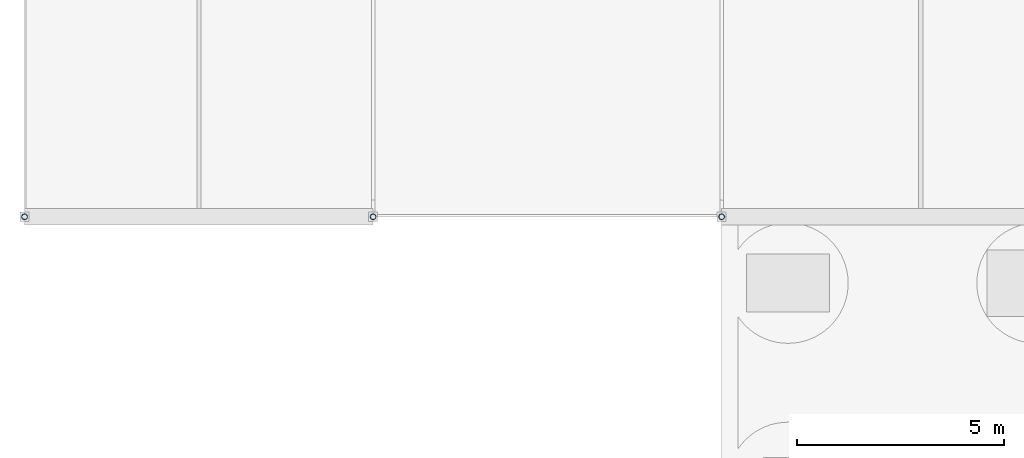
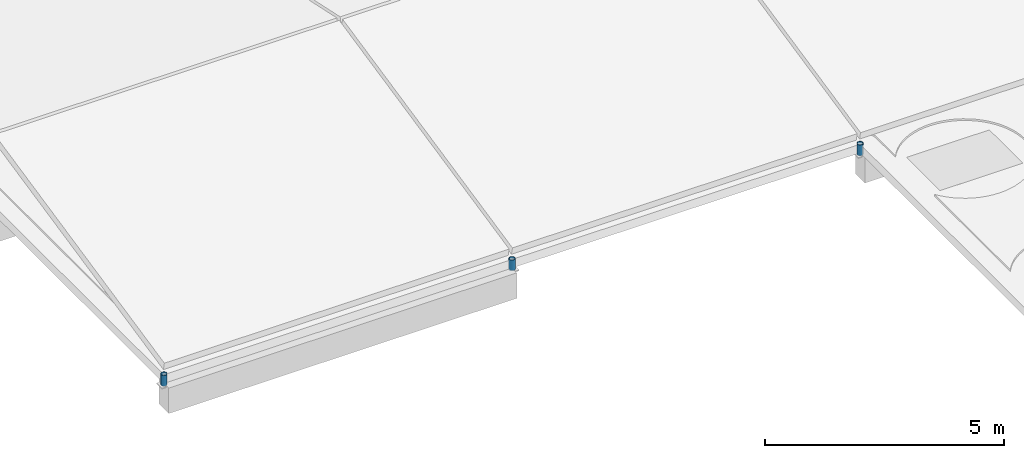
# One storey, part 6 of 11: 3 members.
"""IFC4 building model written with IfcOpenShell, lengths in metres."""

from ifc_helpers import new_model, si_unit, direction, frame, origin, origin_2d, place, context, subcontext, project, spatial, hollow_circle, extrude, material, material_profile, profile_set, type_object, element, save


model = new_model("IFC4")

# Units and contexts
model_context = context("Model", 3, precision=1e-05, world=origin(), true_north=direction((0.0, 1.0)))
body_context = subcontext(model_context, "Body", "Model", "MODEL_VIEW")
ifc_project = project(units=[si_unit("LENGTHUNIT", "METRE"), si_unit("AREAUNIT", "SQUARE_METRE"), si_unit("VOLUMEUNIT", "CUBIC_METRE"), si_unit("PLANEANGLEUNIT", "RADIAN"), si_unit("MASSUNIT", "GRAM", prefix="KILO")], contexts=[model_context])

# Site, building, storey
site_placement = place(None, origin())
site = spatial("IfcSite", under=ifc_project, at=site_placement, CompositionType="ELEMENT")
building_placement = place(site_placement, origin())
building = spatial("IfcBuilding", under=site, at=building_placement, Name="Kisaragi Civic Commons", CompositionType="ELEMENT")
storey_placement = place(building_placement, frame((0.0, 0.0, 21.60009765625)))
storey = spatial("IfcBuildingStorey", under=building, at=storey_placement, Name="RF", CompositionType="ELEMENT", Elevation=21.60009765625)

# Members
ifc_material = material(Name="Steel SN490 (SN490B)", Category="steel")
ifc_material_profile = material_profile(ifc_material, hollow_circle(Radius=0.06982421875, WallThickness=0.006103515625, at=origin_2d()), Name="CHS-139.8x6.0", Category="steel")
ifc_profile_set = profile_set([ifc_material_profile], Name="Steel SN490 (SN490B)")
member_type = type_object("IfcMemberType", Name="ST-H1", PredefinedType="STRUT", material=ifc_profile_set)
for number, where, z_axis, x_axis, name in (
    (1, (97.199951171875, 104.39990234375, -0.25), (0.0, 0.0, 1.0), (1.0, 0.0, 0.0), "RF solar canopy post (97.2,104.4)"),
    (2, (105.60009765625, 104.39990234375, -0.25), (0.0, 0.0, 1.0), (1.0, 0.0, 0.0), "RF solar canopy post (105.6,104.4)"),
    (3, (114.0, 104.39990234375, -0.25), (0.0, 0.0, 1.0), (1.0, 0.0, 0.0), "RF solar canopy post (114.0,104.4)"),
):
    element("IfcMember", number, at=place(storey_placement, frame(where, z_axis=z_axis, x_axis=x_axis)), inside=storey, type_object=member_type, Name=name, PredefinedType="STRUT", context=body_context, shape_type="SweptSolid", body=[
        extrude(hollow_circle(Radius=0.06982421875, WallThickness=0.006103515625, at=origin_2d()), origin(), (0.0, 0.0, 1.0), 0.27978515625),
    ])

save(model, "model.ifc")
